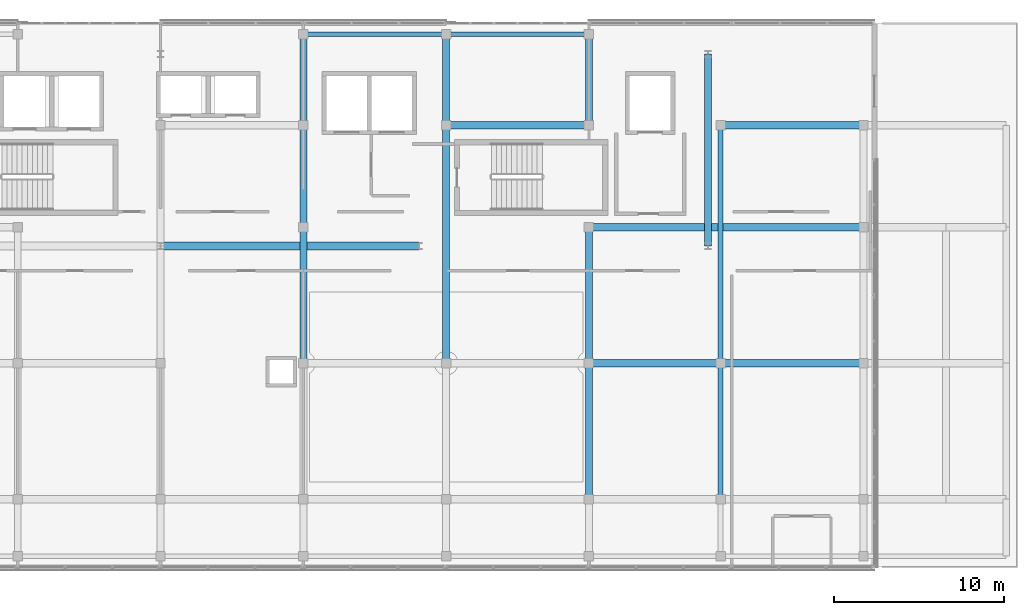
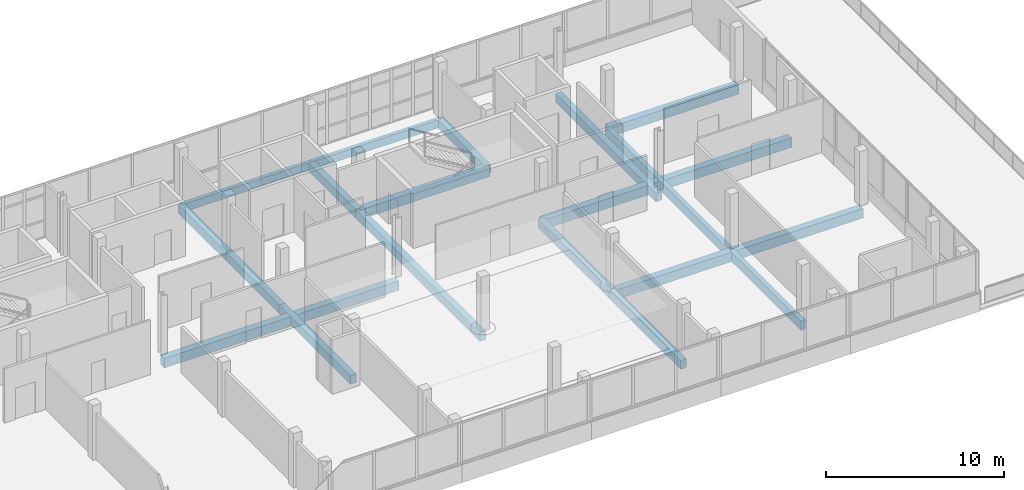
# One storey, part 39 of 67: 19 beams.
"""IFC4 building model written with IfcOpenShell, lengths in metres."""

from ifc_helpers import new_model, si_unit, direction, frame, origin, origin_2d, place, context, subcontext, project, spatial, rectangle, extrude, material, material_profile, profile_set, type_object, element, save


model = new_model("IFC4")

# Units and contexts
model_context = context("Model", 3, precision=1e-05, world=origin(), true_north=direction((0.0, 1.0)))
body_context = subcontext(model_context, "Body", "Model", "MODEL_VIEW")
ifc_project = project(units=[si_unit("LENGTHUNIT", "METRE"), si_unit("AREAUNIT", "SQUARE_METRE"), si_unit("VOLUMEUNIT", "CUBIC_METRE"), si_unit("PLANEANGLEUNIT", "RADIAN"), si_unit("MASSUNIT", "GRAM", prefix="KILO")], contexts=[model_context])

# Site, building, storey
site_placement = place(None, origin())
site = spatial("IfcSite", under=ifc_project, at=site_placement, CompositionType="ELEMENT")
building_placement = place(site_placement, origin())
building = spatial("IfcBuilding", under=site, at=building_placement, Name="Selatvlak General Hospital", CompositionType="ELEMENT")
storey_placement = place(building_placement, frame((0.0, 0.0, 35.39990234375)))
storey = spatial("IfcBuildingStorey", under=building, at=storey_placement, Name="L08", CompositionType="ELEMENT", Elevation=35.39990234375)

# Beams
ifc_material = material(Name="Concrete C40/50", Category="concrete")
ifc_material_profile_1 = material_profile(ifc_material, rectangle(XDim=0.449951171875, YDim=0.64990234375, at=origin_2d()), Name="RC-BM 450x650")
ifc_profile_set_1 = profile_set([ifc_material_profile_1], Name="Concrete C40/50")
beam_type_1 = type_object("IfcBeamType", Name="BM-G04", PredefinedType="BEAM", material=ifc_profile_set_1)
beam_1_placement = place(storey_placement, frame((140.39990234375, 100.0, -0.58984375), z_axis=(1.0, 0.0, 0.0), x_axis=(0.0, 1.0, 0.0)))
element("IfcBeam", 1, at=beam_1_placement, inside=storey, type_object=beam_type_1, Name="Beam BMR-L08-2600", PredefinedType="BEAM", context=body_context, shape_type="SweptSolid", body=[
    extrude(rectangle(XDim=0.449951171875, YDim=0.64990234375, at=origin_2d()), origin(), (0.0, 0.0, 1.0), 7.75),
])
beam_2_placement = place(storey_placement, frame((148.14990234375, 100.0, -0.58984375), z_axis=(1.0, 0.0, 0.0), x_axis=(0.0, 1.0, 0.0)))
element("IfcBeam", 2, at=beam_2_placement, inside=storey, type_object=beam_type_1, Name="Beam BMR-L08-2601", PredefinedType="BEAM", context=body_context, shape_type="SweptSolid", body=[
    extrude(rectangle(XDim=0.449951171875, YDim=0.64990234375, at=origin_2d()), origin(), (0.0, 0.0, 1.0), 8.400146484375),
])
beam_3_placement = place(storey_placement, frame((115.199951171875, 106.89990234375, -0.58984375), z_axis=(1.0, 0.0, 0.0), x_axis=(0.0, 1.0, 0.0)))
element("IfcBeam", 3, at=beam_3_placement, inside=storey, type_object=beam_type_1, Name="Beam BMR-L08-2607", PredefinedType="BEAM", context=body_context, shape_type="SweptSolid", body=[
    extrude(rectangle(XDim=0.449951171875, YDim=0.64990234375, at=origin_2d()), origin(), (0.0, 0.0, 1.0), 15.199951171875),
])
beam_4_placement = place(storey_placement, frame((140.39990234375, 108.0, -0.58984375), z_axis=(1.0, 0.0, 0.0), x_axis=(0.0, 1.0, 0.0)))
element("IfcBeam", 4, at=beam_4_placement, inside=storey, type_object=beam_type_1, Name="Beam BMR-L08-2615", PredefinedType="BEAM", context=body_context, shape_type="SweptSolid", body=[
    extrude(rectangle(XDim=0.449951171875, YDim=0.64990234375, at=origin_2d()), origin(), (0.0, 0.0, 1.0), 16.150146484375),
])
beam_5_placement = place(storey_placement, frame((132.0, 114.0, -0.58984375), z_axis=(1.0, 0.0, 0.0), x_axis=(0.0, 1.0, 0.0)))
element("IfcBeam", 5, at=beam_5_placement, inside=storey, type_object=beam_type_1, Name="Beam BMR-L08-2625", PredefinedType="BEAM", context=body_context, shape_type="SweptSolid", body=[
    extrude(rectangle(XDim=0.449951171875, YDim=0.64990234375, at=origin_2d()), origin(), (0.0, 0.0, 1.0), 8.39990234375),
])
beam_6_placement = place(storey_placement, frame((148.14990234375, 114.0, -0.58984375), z_axis=(1.0, 0.0, 0.0), x_axis=(0.0, 1.0, 0.0)))
element("IfcBeam", 6, at=beam_6_placement, inside=storey, type_object=beam_type_1, Name="Beam BMR-L08-2626", PredefinedType="BEAM", context=body_context, shape_type="SweptSolid", body=[
    extrude(rectangle(XDim=0.449951171875, YDim=0.64990234375, at=origin_2d()), origin(), (0.0, 0.0, 1.0), 8.400146484375),
])
ifc_material_profile_2 = material_profile(ifc_material, rectangle(XDim=0.39990234375, YDim=0.60009765625, at=origin_2d()), Name="RC-BM 400x600")
ifc_profile_set_2 = profile_set([ifc_material_profile_2], Name="Concrete C40/50")
beam_type_2 = type_object("IfcBeamType", Name="BM-G05", PredefinedType="BEAM", material=ifc_profile_set_2)
beam_7_placement = place(storey_placement, frame((123.60009765625, 100.0, -0.56494140625), z_axis=(0.0, 1.0, 0.0), x_axis=(-1.0, 0.0, 0.0)))
element("IfcBeam", 7, at=beam_7_placement, inside=storey, type_object=beam_type_2, Name="Beam BMR-L08-2691", PredefinedType="BEAM", context=body_context, shape_type="SweptSolid", body=[
    extrude(rectangle(XDim=0.39990234375, YDim=0.60009765625, at=origin_2d()), origin(), (0.0, 0.0, 1.0), 8.0),
])
beam_8_placement = place(storey_placement, frame((123.60009765625, 108.0, -0.56494140625), z_axis=(0.0, 1.0, 0.0), x_axis=(-1.0, 0.0, 0.0)))
element("IfcBeam", 8, at=beam_8_placement, inside=storey, type_object=beam_type_2, Name="Beam BMR-L08-2692", PredefinedType="BEAM", context=body_context, shape_type="SweptSolid", body=[
    extrude(rectangle(XDim=0.39990234375, YDim=0.60009765625, at=origin_2d()), origin(), (0.0, 0.0, 1.0), 6.0),
])
beam_9_placement = place(storey_placement, frame((123.60009765625, 114.0, -0.56494140625), z_axis=(0.0, 1.0, 0.0), x_axis=(-1.0, 0.0, 0.0)))
element("IfcBeam", 9, at=beam_9_placement, inside=storey, type_object=beam_type_2, Name="Beam BMR-L08-2693", PredefinedType="BEAM", context=body_context, shape_type="SweptSolid", body=[
    extrude(rectangle(XDim=0.39990234375, YDim=0.60009765625, at=origin_2d()), origin(), (0.0, 0.0, 1.0), 5.35009765625),
])
beam_10_placement = place(storey_placement, frame((132.0, 100.0, -0.56494140625), z_axis=(0.0, 1.0, 0.0), x_axis=(-1.0, 0.0, 0.0)))
element("IfcBeam", 10, at=beam_10_placement, inside=storey, type_object=beam_type_2, Name="Beam BMR-L08-2696", PredefinedType="BEAM", context=body_context, shape_type="SweptSolid", body=[
    extrude(rectangle(XDim=0.39990234375, YDim=0.60009765625, at=origin_2d()), origin(), (0.0, 0.0, 1.0), 14.0),
])
beam_11_placement = place(storey_placement, frame((132.0, 114.0, -0.56494140625), z_axis=(0.0, 1.0, 0.0), x_axis=(-1.0, 0.0, 0.0)))
element("IfcBeam", 11, at=beam_11_placement, inside=storey, type_object=beam_type_2, Name="Beam BMR-L08-2697", PredefinedType="BEAM", context=body_context, shape_type="SweptSolid", body=[
    extrude(rectangle(XDim=0.39990234375, YDim=0.60009765625, at=origin_2d()), origin(), (0.0, 0.0, 1.0), 5.35009765625),
])
for number, where, z_axis, x_axis, name in (
    (12, (140.39990234375, 92.0, -0.56494140625), (0.0, 1.0, 0.0), (-1.0, 0.0, 0.0), "Beam BMR-L08-2699"),
    (13, (140.39990234375, 100.0, -0.56494140625), (0.0, 1.0, 0.0), (-1.0, 0.0, 0.0), "Beam BMR-L08-2700"),
):
    element("IfcBeam", number, at=place(storey_placement, frame(where, z_axis=z_axis, x_axis=x_axis)), inside=storey, type_object=beam_type_2, Name=name, PredefinedType="BEAM", context=body_context, shape_type="SweptSolid", body=[
        extrude(rectangle(XDim=0.39990234375, YDim=0.60009765625, at=origin_2d()), origin(), (0.0, 0.0, 1.0), 8.0),
    ])
beam_12_placement = place(storey_placement, frame((140.39990234375, 114.0, -0.56494140625), z_axis=(0.0, 1.0, 0.0), x_axis=(-1.0, 0.0, 0.0)))
element("IfcBeam", 14, at=beam_12_placement, inside=storey, type_object=beam_type_2, Name="Beam BMR-L08-2701", PredefinedType="BEAM", context=body_context, shape_type="SweptSolid", body=[
    extrude(rectangle(XDim=0.39990234375, YDim=0.60009765625, at=origin_2d()), origin(), (0.0, 0.0, 1.0), 5.35009765625),
])
beam_13_placement = place(storey_placement, frame((147.39990234375, 106.89990234375, -0.56494140625), z_axis=(0.0, 1.0, 0.0), x_axis=(-1.0, 0.0, 0.0)))
element("IfcBeam", 15, at=beam_13_placement, inside=storey, type_object=beam_type_2, Name="Beam BMR-L08-2702", PredefinedType="BEAM", context=body_context, shape_type="SweptSolid", body=[
    extrude(rectangle(XDim=0.39990234375, YDim=0.60009765625, at=origin_2d()), origin(), (0.0, 0.0, 1.0), 11.300048828125),
])
ifc_material_profile_3 = material_profile(ifc_material, rectangle(XDim=0.300048828125, YDim=0.64990234375, at=origin_2d()), Name="RC-SP 300x650")
ifc_profile_set_3 = profile_set([ifc_material_profile_3], Name="Concrete C40/50")
beam_type_3 = type_object("IfcBeamType", Name="BM-SP1", PredefinedType="SPANDREL", material=ifc_profile_set_3)
beam_14_placement = place(storey_placement, frame((148.14990234375, 92.0, -0.58984375), z_axis=(0.0, 1.0, 0.0), x_axis=(-1.0, 0.0, 0.0)))
element("IfcBeam", 16, at=beam_14_placement, inside=storey, type_object=beam_type_3, Name="Beam BMR-L08-2704", PredefinedType="SPANDREL", context=body_context, shape_type="SweptSolid", body=[
    extrude(rectangle(XDim=0.300048828125, YDim=0.64990234375, at=origin_2d()), origin(), (0.0, 0.0, 1.0), 8.0),
])
beam_15_placement = place(storey_placement, frame((148.14990234375, 100.0, -0.58984375), z_axis=(0.0, 1.0, 0.0), x_axis=(-1.0, 0.0, 0.0)))
element("IfcBeam", 17, at=beam_15_placement, inside=storey, type_object=beam_type_3, Name="Beam BMR-L08-2705", PredefinedType="SPANDREL", context=body_context, shape_type="SweptSolid", body=[
    extrude(rectangle(XDim=0.300048828125, YDim=0.64990234375, at=origin_2d()), origin(), (0.0, 0.0, 1.0), 14.0),
])
ifc_material_profile_4 = material_profile(ifc_material, rectangle(XDim=0.25, YDim=0.550048828125, at=origin_2d()), Name="RC-SP 250x550")
ifc_profile_set_4 = profile_set([ifc_material_profile_4], Name="Concrete C40/50")
beam_type_4 = type_object("IfcBeamType", Name="BM-SP2", PredefinedType="SPANDREL", material=ifc_profile_set_4)
for number, where, z_axis, x_axis, name in (
    (18, (123.60009765625, 119.35009765625, -0.539794921875), (1.0, 0.0, 0.0), (0.0, 1.0, 0.0), "Beam BMR-L08-2636"),
    (19, (132.0, 119.35009765625, -0.539794921875), (1.0, 0.0, 0.0), (0.0, 1.0, 0.0), "Beam BMR-L08-2637"),
):
    element("IfcBeam", number, at=place(storey_placement, frame(where, z_axis=z_axis, x_axis=x_axis)), inside=storey, type_object=beam_type_4, Name=name, PredefinedType="SPANDREL", context=body_context, shape_type="SweptSolid", body=[
        extrude(rectangle(XDim=0.25, YDim=0.550048828125, at=origin_2d()), origin(), (0.0, 0.0, 1.0), 8.39990234375),
    ])

save(model, "model.ifc")
